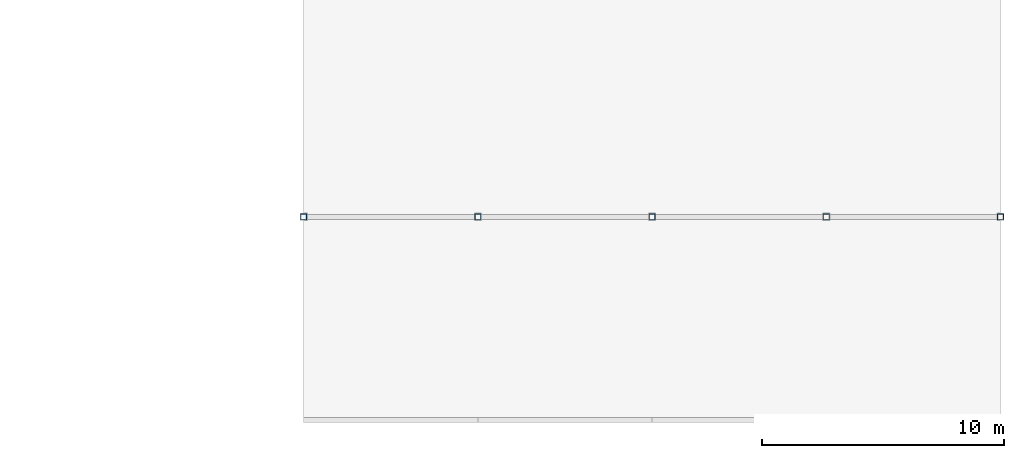
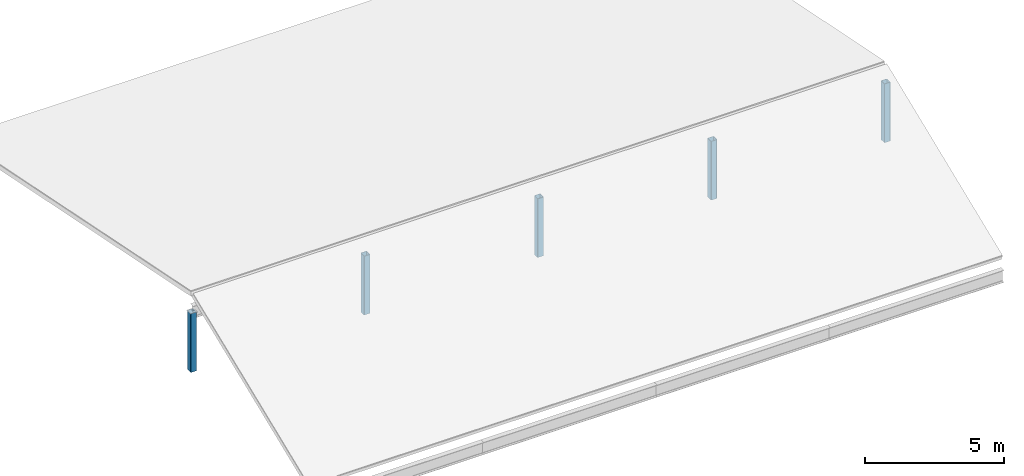
# One storey, part 1 of 13: 5 columns.
"""IFC4 building model written with IfcOpenShell, lengths in metres."""

from ifc_helpers import new_model, si_unit, direction, frame, origin, origin_2d, place, context, subcontext, project, spatial, hollow_rectangle, extrude, material, material_profile, profile_set, type_object, element, save


model = new_model("IFC4")

# Units and contexts
model_context = context("Model", 3, precision=1e-05, world=origin(), true_north=direction((0.0, 1.0)))
body_context = subcontext(model_context, "Body", "Model", "MODEL_VIEW")
ifc_project = project(units=[si_unit("LENGTHUNIT", "METRE"), si_unit("AREAUNIT", "SQUARE_METRE"), si_unit("VOLUMEUNIT", "CUBIC_METRE"), si_unit("PLANEANGLEUNIT", "RADIAN"), si_unit("MASSUNIT", "GRAM", prefix="KILO")], contexts=[model_context])

# Site, building, storey
site_placement = place(None, origin())
site = spatial("IfcSite", under=ifc_project, at=site_placement, CompositionType="ELEMENT")
building_placement = place(site_placement, origin())
building = spatial("IfcBuilding", under=site, at=building_placement, Name="Calvrana Isthmian Art Gallery", CompositionType="ELEMENT")
storey_placement = place(building_placement, frame((0.0, 0.0, 29.39990234375)))
storey = spatial("IfcBuildingStorey", under=building, at=storey_placement, Name="RF", CompositionType="ELEMENT", Elevation=29.39990234375)

# Columns
ifc_material = material(Name="Steel ASTM A500 Gr C", Category="steel")
ifc_material_profile = material_profile(ifc_material, hollow_rectangle(XDim=0.25390625, YDim=0.25390625, WallThickness=0.0126953125, OuterFilletRadius=0.02490234375, at=origin_2d()), Name="HSS254X254X12.7")
ifc_profile_set = profile_set([ifc_material_profile], Name="Steel ASTM A500 Gr C")
column_type = type_object("IfcColumnType", Name="COL-STL-HSS254X254X12.7", PredefinedType="COLUMN", material=ifc_profile_set)
for number, where, z_axis, x_axis, name in (
    (1, (112.800048828125, 30.0, 0.0), (0.0, 0.0, 1.0), (1.0, 0.0, 0.0), "Roof ridge post RF-21"),
    (2, (120.0, 30.0, 0.0), (0.0, 0.0, 1.0), (1.0, 0.0, 0.0), "Roof ridge post RF-22"),
    (3, (127.199951171875, 30.0, 0.0), (0.0, 0.0, 1.0), (1.0, 0.0, 0.0), "Roof ridge post RF-23"),
    (4, (134.39990234375, 30.0, 0.0), (0.0, 0.0, 1.0), (1.0, 0.0, 0.0), "Roof ridge post RF-24"),
    (5, (141.60009765625, 30.0, 0.0), (0.0, 0.0, 1.0), (1.0, 0.0, 0.0), "Roof ridge post RF-25"),
):
    element("IfcColumn", number, at=place(storey_placement, frame(where, z_axis=z_axis, x_axis=x_axis)), inside=storey, type_object=column_type, Name=name, PredefinedType="COLUMN", context=body_context, shape_type="SweptSolid", body=[
        extrude(hollow_rectangle(XDim=0.25390625, YDim=0.25390625, WallThickness=0.0126953125, OuterFilletRadius=0.02490234375, at=origin_2d()), origin(), (0.0, 0.0, 1.0), 2.580078125),
    ])

save(model, "model.ifc")
